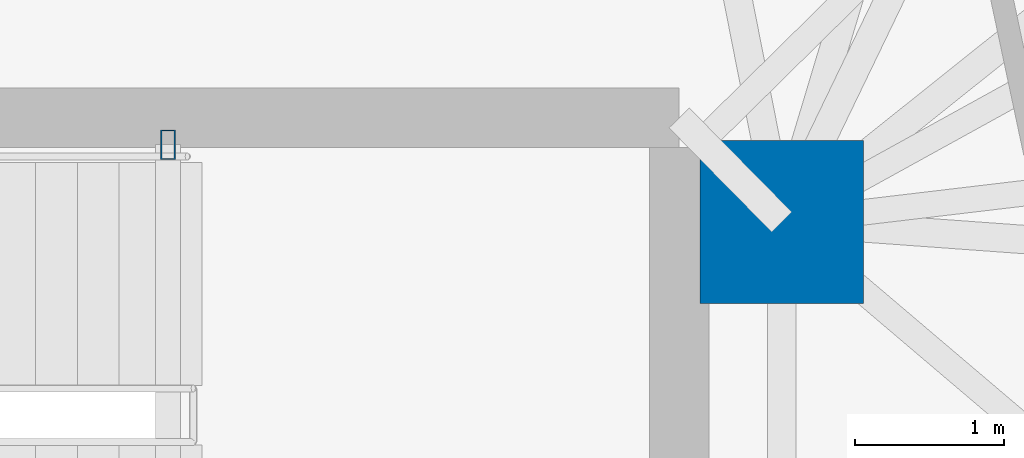
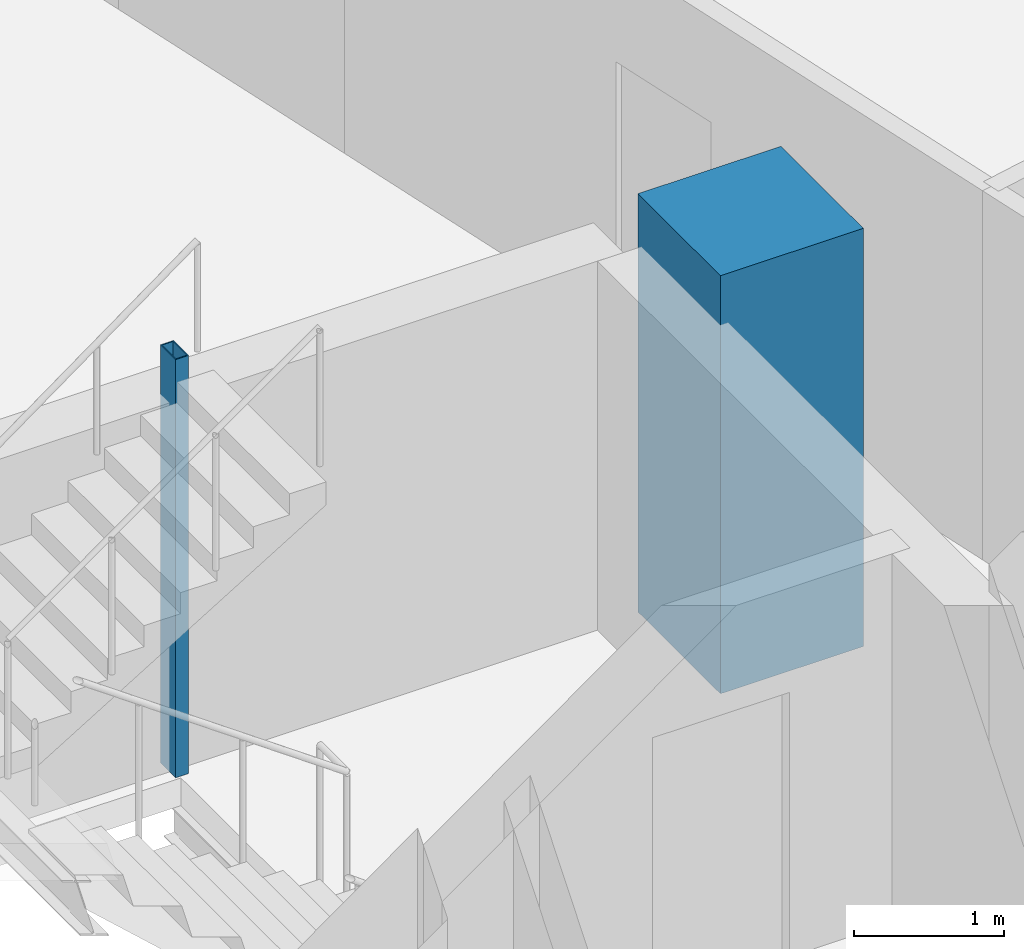
# One storey, part 4 of 20: 2 columns.
"""IFC4 building model written with IfcOpenShell, lengths in metres."""

from ifc_helpers import new_model, si_unit, direction, frame, origin, origin_2d, place, context, subcontext, project, spatial, rectangle, hollow_rectangle, extrude, material, material_profile, profile_set, type_object, element, save


model = new_model("IFC4")

# Units and contexts
model_context = context("Model", 3, precision=1e-05, world=origin(), true_north=direction((0.0, 1.0)))
body_context = subcontext(model_context, "Body", "Model", "MODEL_VIEW")
ifc_project = project(units=[si_unit("LENGTHUNIT", "METRE"), si_unit("AREAUNIT", "SQUARE_METRE"), si_unit("VOLUMEUNIT", "CUBIC_METRE"), si_unit("PLANEANGLEUNIT", "RADIAN"), si_unit("MASSUNIT", "GRAM", prefix="KILO")], contexts=[model_context])

# Site, building, storey
site_placement = place(None, origin())
site = spatial("IfcSite", under=ifc_project, at=site_placement, CompositionType="ELEMENT")
building_placement = place(site_placement, origin())
building = spatial("IfcBuilding", under=site, at=building_placement, Name="Menara Jurai Vektor", CompositionType="ELEMENT")
storey_placement = place(building_placement, frame((0.0, 0.0, 199.0)))
storey = spatial("IfcBuildingStorey", under=building, at=storey_placement, Name="L52", CompositionType="ELEMENT", Elevation=199.0)

# Columns
ifc_material_1 = material(Name="Concrete C50/60", Category="concrete")
ifc_material_profile_1 = material_profile(ifc_material_1, rectangle(XDim=1.10009765625, YDim=1.10009765625, at=origin_2d()), Name="RC 1100x1100")
ifc_profile_set_1 = profile_set([ifc_material_profile_1], Name="Concrete C50/60")
column_type_1 = type_object("IfcColumnType", Name="STR-COL-RC1100", PredefinedType="COLUMN", material=ifc_profile_set_1)
column_1_placement = place(storey_placement, frame((15.25, 4.89990234375, 0.0), z_axis=(0.0, 0.0, 1.0), x_axis=(1.0, 0.0, 0.0)))
element("IfcColumn", 1, at=column_1_placement, inside=storey, type_object=column_type_1, Name="Core Spine Column CE-NE L52", PredefinedType="COLUMN", context=body_context, shape_type="SweptSolid", body=[
    extrude(rectangle(XDim=1.10009765625, YDim=1.10009765625, at=origin_2d()), origin(), (0.0, 0.0, 1.0), 3.39990234375),
])
ifc_material_2 = material(Name="Steel S355", Category="steel")
ifc_material_profile_2 = material_profile(ifc_material_2, hollow_rectangle(XDim=0.10009765625, YDim=0.199951171875, WallThickness=0.008056640625, at=origin_2d()), Name="RHS 200x100x8")
ifc_profile_set_2 = profile_set([ifc_material_profile_2], Name="Steel S355")
column_type_2 = type_object("IfcColumnType", Name="STR-COL-STAIR", PredefinedType="COLUMN", material=ifc_profile_set_2)
column_2_placement = place(storey_placement, frame((11.1201171875, 5.419921875, 0.0), z_axis=(0.0, 0.0, 1.0), x_axis=(1.0, 0.0, 0.0)))
element("IfcColumn", 2, at=column_2_placement, inside=storey, type_object=column_type_2, Name="Stair Well Header Column ST2-P2 L52", PredefinedType="COLUMN", context=body_context, shape_type="SweptSolid", body=[
    extrude(hollow_rectangle(XDim=0.10009765625, YDim=0.199951171875, WallThickness=0.008056640625, at=origin_2d()), origin(), (0.0, 0.0, 1.0), 3.39990234375),
])

save(model, "model.ifc")
